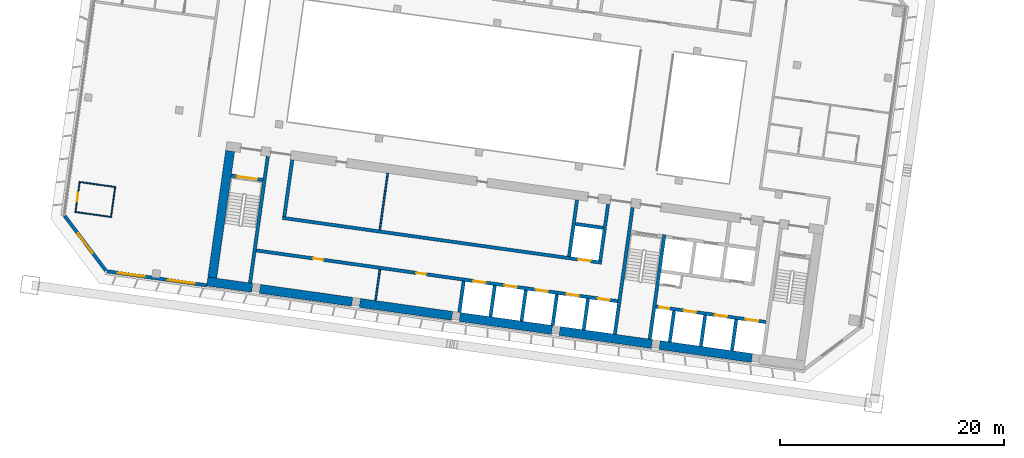
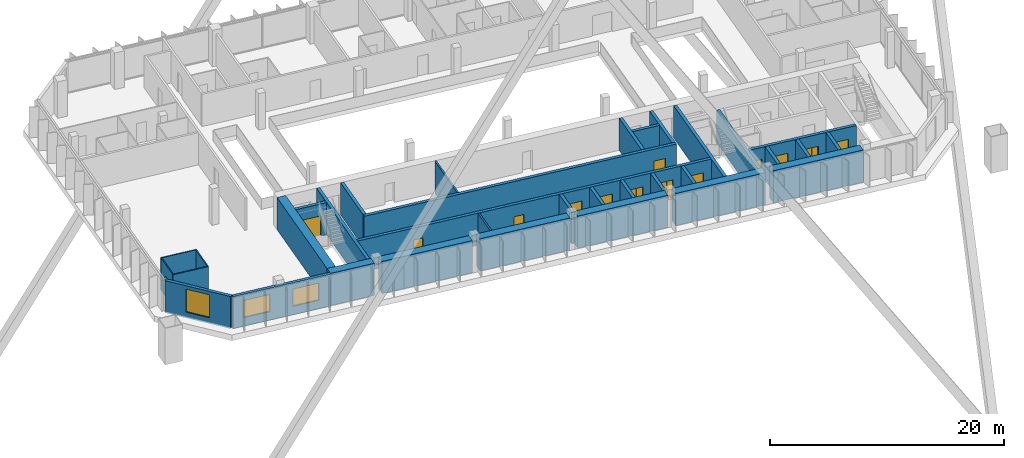
# One storey, part 30 of 41: 34 walls, 14 doors, 3 windows, 17 openings.
"""IFC4 building model written with IfcOpenShell, lengths in metres."""

import ifcopenshell
import ifcopenshell.guid

model = None  # the IFC model being written
_history = None  # IfcOwnerHistory: only IFC2X3 demands one
_inside = {}  # id of a spatial element -> (the spatial element, [elements in it])
_under = {}  # id of a project, library or spatial element -> (it, [spatial elements below it])
_declared = {}  # id of a project -> (the project, [libraries it declares])
_typed = {}  # id of a type object -> (the type object, [elements of that type])
_made_of = {}  # id of a material, layer set ... -> (it, [elements and type objects made of it])


def new_model(schema):
    """Start an empty IFC model of exactly this schema.

    Asked for "IFC4X3", IfcOpenShell would pick the latest addendum, in which some entities
    have other attributes; the version numbers below select the first issue.
    IFC2X3 requires an IfcOwnerHistory on every rooted entity: one is made here for all.
    """
    global model, _history
    if schema == "IFC4X3":
        model = ifcopenshell.file(schema_version=(4, 3, 0, 0))
    else:
        model = ifcopenshell.file(schema=schema)
    _inside.clear()
    _under.clear()
    _declared.clear()
    _typed.clear()
    _made_of.clear()
    _history = None
    if model.schema == "IFC2X3":
        org = make("IfcOrganization", Name="unknown")
        user = make(
            "IfcPersonAndOrganization",
            ThePerson=make("IfcPerson", FamilyName="unknown"),
            TheOrganization=org,
        )
        app = make(
            "IfcApplication",
            ApplicationDeveloper=org,
            Version="unknown",
            ApplicationFullName="unknown",
            ApplicationIdentifier="unknown",
        )
        _history = make(
            "IfcOwnerHistory",
            OwningUser=user,
            OwningApplication=app,
            ChangeAction="ADDED",
            CreationDate=0,
        )
    return model


def make(cls, **values):
    """One entity of the class cls with the attributes given. An attribute that is None is left unset."""
    return model.create_entity(
        cls, **{name: value for name, value in values.items() if value is not None}
    )


def rooted(cls, **values):
    """An entity with a GlobalId (a new one), such as an element, a storey or a relation."""
    return make(cls, GlobalId=ifcopenshell.guid.new(), OwnerHistory=_history, **values)


def si_unit(unit_type, name, prefix=None):
    """IfcSIUnit, for example si_unit("LENGTHUNIT", "METRE", prefix="MILLI")."""
    return make("IfcSIUnit", UnitType=unit_type, Prefix=prefix, Name=name)


def assignment(units):
    """IfcUnitAssignment: the units of a project."""
    return None if units is None else make("IfcUnitAssignment", Units=units)


def point(xyz):
    """IfcCartesianPoint."""
    return None if xyz is None else make("IfcCartesianPoint", Coordinates=xyz)


def direction(xyz):
    """IfcDirection."""
    return None if xyz is None else make("IfcDirection", DirectionRatios=xyz)


def frame(location, z_axis=None, x_axis=None):
    """IfcAxis2Placement3D, a coordinate frame: its origin and axes. An axis left out is left unset."""
    return make(
        "IfcAxis2Placement3D",
        Location=point(location),
        Axis=direction(z_axis),
        RefDirection=direction(x_axis),
    )


def frame_2d(location, x_axis=None):
    """IfcAxis2Placement2D, a coordinate frame in the plane: its origin and x axis."""
    return make(
        "IfcAxis2Placement2D", Location=point(location), RefDirection=direction(x_axis)
    )


def origin():
    """The frame at (0, 0, 0) with its axes left unset."""
    return frame((0.0, 0.0, 0.0))


def place(relative_to, where):
    """IfcLocalPlacement: puts the frame where relative to a parent placement (None: the world)."""
    return make(
        "IfcLocalPlacement", PlacementRelTo=relative_to, RelativePlacement=where
    )


def context(
    kind, dimensions, precision=None, world=None, true_north=None, identifier=None
):
    """IfcGeometricRepresentationContext, for example the 3D "Model" context."""
    return make(
        "IfcGeometricRepresentationContext",
        ContextIdentifier=identifier,
        ContextType=kind,
        CoordinateSpaceDimension=dimensions,
        Precision=precision,
        WorldCoordinateSystem=world,
        TrueNorth=true_north,
    )


def subcontext(parent, identifier, kind, view, scale=None):
    """IfcGeometricRepresentationSubContext, for example "Body" below "Model"."""
    return make(
        "IfcGeometricRepresentationSubContext",
        ContextIdentifier=identifier,
        ContextType=kind,
        ParentContext=parent,
        TargetScale=scale,
        TargetView=view,
    )


def project(units=None, contexts=None):
    """IfcProject with its units and contexts."""
    return rooted(
        "IfcProject",
        Name="project",
        RepresentationContexts=contexts,
        UnitsInContext=assignment(units),
    )


def spatial(cls, under=None, at=None, **own):
    """A site, building, storey or space (cls), placed at a placement, below another one or the project."""
    s = rooted(cls, ObjectPlacement=at, **own)
    if under is not None:
        _under.setdefault(under.id(), (under, []))[1].append(s)
    return s


def profile(cls, at=None, kind="AREA", **sizes):
    """A parametric profile (cls). Its sizes go by their IFC names, for example OverallWidth=200.0."""
    return make(cls, ProfileType=kind, Position=at, **sizes)


def rectangle(**sizes):
    """IfcRectangleProfileDef."""
    return profile("IfcRectangleProfileDef", **sizes)


def extrude(swept, where, along, depth):
    """IfcExtrudedAreaSolid: the profile swept, set in the frame where, extruded along a direction by depth."""
    return make(
        "IfcExtrudedAreaSolid",
        SweptArea=swept,
        Position=where,
        ExtrudedDirection=direction(along),
        Depth=depth,
    )


def shape(context_of_items, identifier, shape_type, items):
    """IfcShapeRepresentation: the items that make up one representation, for example the "Body"."""
    return make(
        "IfcShapeRepresentation",
        ContextOfItems=context_of_items,
        RepresentationIdentifier=identifier,
        RepresentationType=shape_type,
        Items=items,
    )


def material(Name=None, Category=None):
    """IfcMaterial."""
    return make("IfcMaterial", Name=Name, Category=Category)


def layer(
    of_material, thickness, ventilated=None, Name=None, Category=None, Priority=None
):
    """IfcMaterialLayer: one layer of a wall or slab, of a material (None: an air gap)."""
    return make(
        "IfcMaterialLayer",
        Material=of_material,
        LayerThickness=thickness,
        IsVentilated=ventilated,
        Name=Name,
        Category=Category,
        Priority=Priority,
    )


def layer_set(layers, Name=None):
    """IfcMaterialLayerSet."""
    return make("IfcMaterialLayerSet", MaterialLayers=layers, LayerSetName=Name)


def made_of(thing, what):
    """Note that an element or type object is made of a material, layer set ...; save() writes the relation."""
    if what is not None:
        _made_of.setdefault(what.id(), (what, []))[1].append(thing)
    return thing


def type_object(cls, material=None, **own):
    """A type object (cls), such as IfcWallType, which elements share."""
    return made_of(rooted(cls, **own), material)


def element(
    cls,
    number,
    at=None,
    inside=None,
    cuts=None,
    type_object=None,
    material=None,
    context=None,
    identifier="Body",
    shape_type=None,
    held_by="IfcProductDefinitionShape",
    body=None,
    shapes=None,
    **own,
):
    """One element of the class cls, such as IfcWall. Its Tag is "e" and its number.

    at: its placement. inside: the storey or other place that contains it. cuts: it is an
    opening in that element (IfcRelVoidsElement). A single representation is given by context,
    identifier, shape_type and body (its items); several are given by shapes. held_by: the class
    of the entity that holds the representations. save() writes the other relations.
    """
    e = rooted(cls, Tag="e%d" % number, ObjectPlacement=at, **own)
    if body is not None:
        shapes = [shape(context, identifier, shape_type, body)]
    if shapes is not None:
        e.Representation = make(held_by, Representations=shapes)
    if inside is not None:
        _inside.setdefault(inside.id(), (inside, []))[1].append(e)
    if cuts is not None:
        rooted(
            "IfcRelVoidsElement", RelatingBuildingElement=cuts, RelatedOpeningElement=e
        )
    if type_object is not None:
        _typed.setdefault(type_object.id(), (type_object, []))[1].append(e)
    return made_of(e, material)


def fill(opening, filler):
    """IfcRelFillsElement: the door or window that sits in an opening."""
    return rooted(
        "IfcRelFillsElement",
        RelatingOpeningElement=opening,
        RelatedBuildingElement=filler,
    )


def aggregate(whole, parts):
    """IfcRelAggregates: a whole, such as a stair, and the parts it consists of."""
    return rooted("IfcRelAggregates", RelatingObject=whole, RelatedObjects=parts)


def save(model, path):
    """Write the relations noted so far, then the file.

    IfcRelAggregates (storeys below a building ...), IfcRelContainedInSpatialStructure (elements
    in a storey), IfcRelDefinesByType, IfcRelAssociatesMaterial and IfcRelDeclares: one each for
    every whole, place, type object, material and project.
    """
    for whole, parts in _under.values():
        aggregate(whole, parts)
    for where, things in _inside.values():
        rooted(
            "IfcRelContainedInSpatialStructure",
            RelatedElements=things,
            RelatingStructure=where,
        )
    for kind, things in _typed.values():
        rooted("IfcRelDefinesByType", RelatedObjects=things, RelatingType=kind)
    for what, things in _made_of.values():
        rooted("IfcRelAssociatesMaterial", RelatedObjects=things, RelatingMaterial=what)
    for by, libraries in _declared.values():
        rooted("IfcRelDeclares", RelatingContext=by, RelatedDefinitions=libraries)
    model.write(path)


model = new_model("IFC4")

# Units and contexts
model_context = context("Model", 3, precision=1e-05, world=origin(), true_north=direction((0.0, 1.0)))
body_context = subcontext(model_context, "Body", "Model", "MODEL_VIEW")
ifc_project = project(units=[si_unit("LENGTHUNIT", "METRE"), si_unit("AREAUNIT", "SQUARE_METRE"), si_unit("VOLUMEUNIT", "CUBIC_METRE"), si_unit("PLANEANGLEUNIT", "RADIAN"), si_unit("MASSUNIT", "GRAM", prefix="KILO")], contexts=[model_context])

# Site, building, storey
site_placement = place(None, origin())
site = spatial("IfcSite", under=ifc_project, at=site_placement, CompositionType="ELEMENT")
building_placement = place(site_placement, origin())
building = spatial("IfcBuilding", under=site, at=building_placement, Name="Mirante Cascada Hotel Towers", CompositionType="ELEMENT")
storey_placement = place(building_placement, frame((0.0, 0.0, 125.3)))
storey = spatial("IfcBuildingStorey", under=building, at=storey_placement, Name="L28", CompositionType="ELEMENT", Elevation=125.3)

# Walls
ifc_material_1 = material(Name="Masonry block", Category="masonry")
ifc_layer_1 = layer(ifc_material_1, 0.15)
ifc_layer_set_1 = layer_set([ifc_layer_1], Name="Core room partition 150 block EI 30")
wall_type_1 = type_object("IfcWallType", Name="Core room partition 150 block EI 30", PredefinedType="PARTITIONING", material=ifc_layer_set_1)
wall_1_placement = place(storey_placement, frame((-75.3976, -13.8977, 0.0), z_axis=(0.0, 0.0, 1.0), x_axis=(0.139141, 0.9902726, 0.0)))
element("IfcWall", 1, at=wall_1_placement, inside=storey, type_object=wall_type_1, Name="Core wall partition T1 L28 4", PredefinedType="PARTITIONING", context=body_context, shape_type="SweptSolid", body=[
    extrude(rectangle(XDim=2.8, YDim=0.15, at=frame_2d((1.4, 0.0))), origin(), (0.0, 0.0, 1.0), 3.35),
])
wall_2_placement = place(storey_placement, frame((-75.016, -7.5894, 0.0), z_axis=(0.0, 0.0, 1.0), x_axis=(0.1391755, 0.9902677, 0.0)))
element("IfcWall", 2, at=wall_2_placement, inside=storey, type_object=wall_type_1, Name="Core wall partition T1 L28 5", PredefinedType="PARTITIONING", context=body_context, shape_type="SweptSolid", body=[
    extrude(rectangle(XDim=5.1, YDim=0.15, at=frame_2d((2.55, 0.0))), origin(), (0.0, 0.0, 1.0), 3.35),
])
ifc_material_2 = material(Name="Plasterboard on metal studs")
ifc_layer_2 = layer(ifc_material_2, 0.1)
ifc_layer_set_2 = layer_set([ifc_layer_2], Name="Partition 100")
wall_type_2 = type_object("IfcWallType", Name="Partition 100", PredefinedType="PARTITIONING", material=ifc_layer_set_2)
wall_3_placement = place(storey_placement, frame((-98.9401, -6.4487, 0.0), z_axis=(0.0, 0.0, 1.0), x_axis=(-0.9902664, 0.1391852, 0.0)))
element("IfcWall", 3, at=wall_3_placement, inside=storey, type_object=wall_type_2, Name="Wall 1-L28-01", PredefinedType="PARTITIONING", context=body_context, shape_type="SweptSolid", body=[
    extrude(rectangle(XDim=3.2999, YDim=0.1, at=frame_2d((1.65, 0.0))), origin(), (0.0, 0.0, 1.0), 3.35),
])
wall_4_placement = place(storey_placement, frame((-101.8322, -3.3157, 0.0), z_axis=(0.0, 0.0, 1.0), x_axis=(0.990267, -0.139181, 0.0)))
element("IfcWall", 4, at=wall_4_placement, inside=storey, type_object=wall_type_2, Name="Wall 1-L28-02", PredefinedType="PARTITIONING", context=body_context, shape_type="SweptSolid", body=[
    extrude(rectangle(XDim=3.3, YDim=0.1, at=frame_2d((1.65, 0.0))), origin(), (0.0, 0.0, 1.0), 3.35),
])
wall_5_placement = place(storey_placement, frame((-98.9826, -6.3922, 0.0), z_axis=(0.0, 0.0, 1.0), x_axis=(0.1391541, 0.9902707, 0.0)))
element("IfcWall", 5, at=wall_5_placement, inside=storey, type_object=wall_type_2, Name="Wall 1-L28-47", PredefinedType="PARTITIONING", context=body_context, shape_type="SweptSolid", body=[
    extrude(rectangle(XDim=2.6, YDim=0.1, at=frame_2d((1.3, 0.0))), origin(), (0.0, 0.0, 1.0), 3.35),
])

# Wall, opening, door
wall_6_placement = place(storey_placement, frame((-102.1515, -5.9469, 0.0), z_axis=(0.0, 0.0, 1.0), x_axis=(0.1391918, 0.9902654, 0.0)))
wall_6 = element("IfcWall", 6, at=wall_6_placement, inside=storey, type_object=wall_type_2, Name="Wall 1-L28-49", PredefinedType="PARTITIONING", context=body_context, shape_type="SweptSolid", body=[
    extrude(rectangle(XDim=2.6, YDim=0.1, at=frame_2d((1.3, 0.0))), origin(), (0.0, 0.0, 1.0), 3.35),
])
opening_1_placement = place(wall_6_placement, frame((0.9, 0.0, 0.0)))
opening_1 = element("IfcOpeningElement", 7, at=opening_1_placement, cuts=wall_6, Name="Opening D1-L28-29", PredefinedType="OPENING", context=body_context, shape_type="SweptSolid", body=[
    extrude(rectangle(XDim=0.8, YDim=2.1, at=frame_2d((0.4, 1.05))), frame((0.0, 0.05, 0.0), z_axis=(0.0, -1.0, 0.0), x_axis=(1.0, 0.0, 0.0)), (0.0, 0.0, 1.0), 0.1),
])
ifc_material_3 = material(Name="Timber door leaf", Category="wood")
door_type_1 = type_object("IfcDoorType", Name="Bathroom door DG4 800x2100", OperationType="SINGLE_SWING_LEFT", PredefinedType="DOOR", material=ifc_material_3)
door_1_placement = place(opening_1_placement, frame((0.8, 0.0, 0.0), z_axis=(0.0, 0.0, 1.0), x_axis=(-1.0, 0.0, 0.0)))
door_1 = element("IfcDoor", 8, at=door_1_placement, inside=storey, type_object=door_type_1, Name="Door D1-L28-29", OperationType="SINGLE_SWING_RIGHT", OverallHeight=2.1, OverallWidth=0.8, PredefinedType="DOOR", context=body_context, shape_type="SweptSolid", body=[
    extrude(rectangle(XDim=0.8, YDim=2.1, at=frame_2d((0.4, 1.05))), frame((0.0, 0.025, 0.0), z_axis=(0.0, -1.0, 0.0), x_axis=(1.0, 0.0, 0.0)), (0.0, 0.0, 1.0), 0.05),
])
fill(opening_1, door_1)

# Wall, openings, windows
ifc_material_4 = material(Name="Precast concrete C40/50", Category="concrete")
ifc_layer_3 = layer(ifc_material_4, 0.3)
ifc_layer_set_3 = layer_set([ifc_layer_3], Name="Precast concrete C40/50 cladding wall 300")
wall_type_3 = type_object("IfcWallType", Name="Precast concrete C40/50 cladding wall 300", PredefinedType="STANDARD", material=ifc_layer_set_3)
wall_7_placement = place(storey_placement, frame((-90.4551, -12.5388, 0.0), z_axis=(0.0, 0.0, 1.0), x_axis=(-0.9902678, 0.1391749, 0.0)))
wall_7 = element("IfcWall", 9, at=wall_7_placement, inside=storey, type_object=wall_type_3, Name="Rear cladding wall T1 L28 1", PredefinedType="STANDARD", context=body_context, shape_type="SweptSolid", body=[
    extrude(rectangle(XDim=8.9758, YDim=0.3, at=frame_2d((4.4879, 0.0))), origin(), (0.0, 0.0, 1.0), 3.35),
])
opening_2_placement = place(wall_7_placement, frame((1.1012, 0.0, 0.9)))
opening_2 = element("IfcOpeningElement", 10, at=opening_2_placement, cuts=wall_7, Name="Opening W1-28-01", PredefinedType="OPENING", context=body_context, shape_type="SweptSolid", body=[
    extrude(rectangle(XDim=2.4, YDim=1.8, at=frame_2d((1.2, 0.9))), frame((0.0, 0.15, 0.0), z_axis=(0.0, -1.0, 0.0), x_axis=(1.0, 0.0, 0.0)), (0.0, 0.0, 1.0), 0.3),
])
opening_3_placement = place(wall_7_placement, frame((5.5923, 0.0, 0.9)))
opening_3 = element("IfcOpeningElement", 11, at=opening_3_placement, cuts=wall_7, Name="Opening W1-28-02", PredefinedType="OPENING", context=body_context, shape_type="SweptSolid", body=[
    extrude(rectangle(XDim=2.4, YDim=1.8, at=frame_2d((1.2, 0.9))), frame((0.0, 0.15, 0.0), z_axis=(0.0, -1.0, 0.0), x_axis=(1.0, 0.0, 0.0)), (0.0, 0.0, 1.0), 0.3),
])
ifc_material_5 = material(Name="Aluminium frame with clear double glazing", Category="aluminium")
window_type_1 = type_object("IfcWindowType", Name="Punched window 2400x1800", PartitioningType="DOUBLE_PANEL_VERTICAL", PredefinedType="WINDOW", material=ifc_material_5)
window_1_placement = place(opening_2_placement, origin())
window_1 = element("IfcWindow", 12, at=window_1_placement, inside=storey, type_object=window_type_1, Name="Window W1-28-01", OverallHeight=1.8, OverallWidth=2.4, PartitioningType="SINGLE_PANEL", PredefinedType="WINDOW", context=body_context, shape_type="SweptSolid", body=[
    extrude(rectangle(XDim=2.4, YDim=1.8, at=frame_2d((1.2, 0.9))), frame((0.0, 0.03, 0.0), z_axis=(0.0, -1.0, 0.0), x_axis=(1.0, 0.0, 0.0)), (0.0, 0.0, 1.0), 0.06),
])
fill(opening_2, window_1)
window_2_placement = place(opening_3_placement, origin())
window_2 = element("IfcWindow", 13, at=window_2_placement, inside=storey, type_object=window_type_1, Name="Window W1-28-02", OverallHeight=1.8, OverallWidth=2.4, PartitioningType="SINGLE_PANEL", PredefinedType="WINDOW", context=body_context, shape_type="SweptSolid", body=[
    extrude(rectangle(XDim=2.4, YDim=1.8, at=frame_2d((1.2, 0.9))), frame((0.0, 0.03, 0.0), z_axis=(0.0, -1.0, 0.0), x_axis=(1.0, 0.0, 0.0)), (0.0, 0.0, 1.0), 0.06),
])
fill(opening_3, window_2)

# Wall, opening, window
wall_8_placement = place(storey_placement, frame((-99.4424, -11.2313, 0.0), z_axis=(0.0, 0.0, 1.0), x_axis=(-0.6018194, 0.7986322, 0.0)))
wall_8 = element("IfcWall", 14, at=wall_8_placement, inside=storey, type_object=wall_type_3, Name="Corner cladding wall T1 L28 rear outer", PredefinedType="STANDARD", context=body_context, shape_type="SweptSolid", body=[
    extrude(rectangle(XDim=6.1155, YDim=0.3, at=frame_2d((3.0578, 0.0))), origin(), (0.0, 0.0, 1.0), 3.35),
])
opening_4_placement = place(wall_8_placement, frame((1.9576, 0.0, 0.6)))
opening_4 = element("IfcOpeningElement", 15, at=opening_4_placement, cuts=wall_8, Name="Opening W1-28-03", PredefinedType="OPENING", context=body_context, shape_type="SweptSolid", body=[
    extrude(rectangle(XDim=2.2, YDim=2.4, at=frame_2d((1.1, 1.2))), frame((0.0, 0.15, 0.0), z_axis=(0.0, -1.0, 0.0), x_axis=(1.0, 0.0, 0.0)), (0.0, 0.0, 1.0), 0.3),
])
ifc_material_6 = material(Name="Aluminium frame with clear double glazing", Category="aluminium")
window_type_2 = type_object("IfcWindowType", Name="Corner suite window 2200x2400", PartitioningType="DOUBLE_PANEL_VERTICAL", PredefinedType="WINDOW", material=ifc_material_6)
window_3_placement = place(opening_4_placement, origin())
window_3 = element("IfcWindow", 16, at=window_3_placement, inside=storey, type_object=window_type_2, Name="Window W1-28-03", OverallHeight=2.4, OverallWidth=2.2, PartitioningType="SINGLE_PANEL", PredefinedType="WINDOW", context=body_context, shape_type="SweptSolid", body=[
    extrude(rectangle(XDim=2.2, YDim=2.4, at=frame_2d((1.1, 1.2))), frame((0.0, 0.03, 0.0), z_axis=(0.0, -1.0, 0.0), x_axis=(1.0, 0.0, 0.0)), (0.0, 0.0, 1.0), 0.06),
])
fill(opening_4, window_3)

# Walls
ifc_material_7 = material(Name="Concrete C50/60", Category="concrete")
ifc_layer_4 = layer(ifc_material_7, 0.3)
ifc_layer_set_4 = layer_set([ifc_layer_4], Name="RC core wall 300 C50/60")
wall_type_4 = type_object("IfcWallType", Name="RC core wall 300 C50/60", PredefinedType="SHEAR", material=ifc_layer_set_4)
wall_9_placement = place(storey_placement, frame((-50.938, -17.3352, 0.0), z_axis=(0.0, 0.0, 1.0), x_axis=(0.1391706, 0.9902684, 0.0)))
element("IfcWall", 17, at=wall_9_placement, inside=storey, type_object=wall_type_4, Name="Core wall T1:L28:6", PredefinedType="SHEAR", context=body_context, shape_type="SweptSolid", body=[
    extrude(rectangle(XDim=9.4, YDim=0.3, at=frame_2d((4.7, 0.0))), origin(), (0.0, 0.0, 1.0), 3.35),
])
wall_10_placement = place(storey_placement, frame((-54.0574, -16.8968, 0.0), z_axis=(0.0, 0.0, 1.0), x_axis=(0.1391761, 0.9902677, 0.0)))
element("IfcWall", 18, at=wall_10_placement, inside=storey, type_object=wall_type_4, Name="Core wall T1:L28:7", PredefinedType="SHEAR", context=body_context, shape_type="SweptSolid", body=[
    extrude(rectangle(XDim=11.3999, YDim=0.3, at=frame_2d((5.7, 0.0))), origin(), (0.0, 0.0, 1.0), 3.35),
])
wall_11_placement = place(storey_placement, frame((-86.5877, -12.325, 0.0), z_axis=(0.0, 0.0, 1.0), x_axis=(0.1391749, 0.9902678, 0.0)))
element("IfcWall", 19, at=wall_11_placement, inside=storey, type_object=wall_type_4, Name="Core wall T1:L28:8", PredefinedType="SHEAR", context=body_context, shape_type="SweptSolid", body=[
    extrude(rectangle(XDim=11.4, YDim=0.3, at=frame_2d((5.7, 0.0))), origin(), (0.0, 0.0, 1.0), 3.35),
])

# Wall, opening, door
wall_12_placement = place(storey_placement, frame((-85.4489, -3.1441, 0.0), z_axis=(0.0, 0.0, 1.0), x_axis=(-0.9902697, 0.1391613, 0.0)))
wall_12 = element("IfcWall", 20, at=wall_12_placement, inside=storey, type_object=wall_type_4, Name="Core wall T1:L28:11", PredefinedType="SHEAR", context=body_context, shape_type="SweptSolid", body=[
    extrude(rectangle(XDim=2.8499, YDim=0.3, at=frame_2d((1.425, 0.0))), origin(), (0.0, 0.0, 1.0), 3.35),
])
opening_5_placement = place(wall_12_placement, frame((0.525, 0.0, 0.0)))
opening_5 = element("IfcOpeningElement", 21, at=opening_5_placement, cuts=wall_12, Name="Opening D1-28-C17", PredefinedType="OPENING", context=body_context, shape_type="SweptSolid", body=[
    extrude(rectangle(XDim=1.8, YDim=2.1, at=frame_2d((0.9, 1.05))), frame((0.0, 0.15, 0.0), z_axis=(0.0, -1.0, 0.0), x_axis=(1.0, 0.0, 0.0)), (0.0, 0.0, 1.0), 0.3),
])
ifc_material_8 = material(Name="Hollow metal fire door leaf")
door_type_2 = type_object("IfcDoorType", Name="Double fire door 1800x2100 FD60", OperationType="DOUBLE_DOOR_SINGLE_SWING", PredefinedType="DOOR", material=ifc_material_8)
door_2_placement = place(opening_5_placement, origin())
door_2 = element("IfcDoor", 22, at=door_2_placement, inside=storey, type_object=door_type_2, Name="Stair door T1 L28 17", OperationType="DOUBLE_DOOR_SINGLE_SWING", OverallHeight=2.1, OverallWidth=1.8, PredefinedType="DOOR", context=body_context, shape_type="SweptSolid", body=[
    extrude(rectangle(XDim=0.895, YDim=2.1, at=frame_2d((0.4475, 1.05))), frame((0.0, 0.025, 0.0), z_axis=(0.0, -1.0, 0.0), x_axis=(1.0, 0.0, 0.0)), (0.0, 0.0, 1.0), 0.05),
    extrude(rectangle(XDim=0.895, YDim=2.1, at=frame_2d((1.3525, 1.05))), frame((0.0, 0.025, 0.0), z_axis=(0.0, -1.0, 0.0), x_axis=(1.0, 0.0, 0.0)), (0.0, 0.0, 1.0), 0.05),
])
fill(opening_5, door_2)

# Wall, openings, doors
wall_13_placement = place(storey_placement, frame((-40.5753, -15.8126, 0.0), z_axis=(0.0, 0.0, 1.0), x_axis=(-0.9902682, 0.1391725, 0.0)))
wall_13 = element("IfcWall", 23, at=wall_13_placement, inside=storey, type_object=wall_type_4, Name="Core wall T1:L28:12", PredefinedType="SHEAR", context=body_context, shape_type="SweptSolid", body=[
    extrude(rectangle(XDim=9.8999, YDim=0.3, at=frame_2d((4.95, 0.0))), origin(), (0.0, 0.0, 1.0), 3.35),
])
opening_6_placement = place(wall_13_placement, frame((0.7, 0.0, 0.0)))
opening_6 = element("IfcOpeningElement", 24, at=opening_6_placement, cuts=wall_13, Name="Opening LD", PredefinedType="OPENING", context=body_context, shape_type="SweptSolid", body=[
    extrude(rectangle(XDim=1.1, YDim=2.1, at=frame_2d((0.55, 1.05))), frame((0.0, 0.15, 0.0), z_axis=(0.0, -1.0, 0.0), x_axis=(1.0, 0.0, 0.0)), (0.0, 0.0, 1.0), 0.3),
])
opening_7_placement = place(wall_13_placement, frame((3.5, 0.0, 0.0)))
opening_7 = element("IfcOpeningElement", 25, at=opening_7_placement, cuts=wall_13, Name="Opening LD", PredefinedType="OPENING", context=body_context, shape_type="SweptSolid", body=[
    extrude(rectangle(XDim=1.1, YDim=2.1, at=frame_2d((0.55, 1.05))), frame((0.0, 0.15, 0.0), z_axis=(0.0, -1.0, 0.0), x_axis=(1.0, 0.0, 0.0)), (0.0, 0.0, 1.0), 0.3),
])
opening_8_placement = place(wall_13_placement, frame((6.3, 0.0, 0.0)))
opening_8 = element("IfcOpeningElement", 26, at=opening_8_placement, cuts=wall_13, Name="Opening LD", PredefinedType="OPENING", context=body_context, shape_type="SweptSolid", body=[
    extrude(rectangle(XDim=1.1, YDim=2.1, at=frame_2d((0.55, 1.05))), frame((0.0, 0.15, 0.0), z_axis=(0.0, -1.0, 0.0), x_axis=(1.0, 0.0, 0.0)), (0.0, 0.0, 1.0), 0.3),
])
opening_9_placement = place(wall_13_placement, frame((8.7, 0.0, 0.0)))
opening_9 = element("IfcOpeningElement", 27, at=opening_9_placement, cuts=wall_13, Name="Opening D1-28-C22", PredefinedType="OPENING", context=body_context, shape_type="SweptSolid", body=[
    extrude(rectangle(XDim=0.9, YDim=2.1, at=frame_2d((0.45, 1.05))), frame((0.0, 0.15, 0.0), z_axis=(0.0, -1.0, 0.0), x_axis=(1.0, 0.0, 0.0)), (0.0, 0.0, 1.0), 0.3),
])
ifc_material_9 = material(Name="Hollow metal fire door leaf")
door_type_3 = type_object("IfcDoorType", Name="Fire door 900x2100 FD60", OperationType="NOTDEFINED", PredefinedType="DOOR", material=ifc_material_9)
door_3_placement = place(opening_9_placement, origin())
door_3 = element("IfcDoor", 28, at=door_3_placement, inside=storey, type_object=door_type_3, Name="Riser door T1 L28 22", OperationType="SINGLE_SWING_LEFT", OverallHeight=2.1, OverallWidth=0.9, PredefinedType="DOOR", context=body_context, shape_type="SweptSolid", body=[
    extrude(rectangle(XDim=0.9, YDim=2.1, at=frame_2d((0.45, 1.05))), frame((0.0, 0.025, 0.0), z_axis=(0.0, -1.0, 0.0), x_axis=(1.0, 0.0, 0.0)), (0.0, 0.0, 1.0), 0.05),
])
fill(opening_9, door_3)
ifc_material_10 = material(Name="Stainless steel", Category="steel")
door_type_4 = type_object("IfcDoorType", Name="Lift landing door 1100x2100 EI 120", OperationType="DOUBLE_DOOR_SLIDING", PredefinedType="DOOR", material=ifc_material_10)
door_4_placement = place(opening_6_placement, origin())
door_4 = element("IfcDoor", 29, at=door_4_placement, inside=storey, type_object=door_type_4, Name="Lift landing door HR1-1 L28", OperationType="DOUBLE_DOOR_SLIDING", OverallHeight=2.1, OverallWidth=1.1, PredefinedType="DOOR", context=body_context, shape_type="SweptSolid", body=[
    extrude(rectangle(XDim=0.545, YDim=2.1, at=frame_2d((0.2725, 1.05))), frame((0.0, 0.025, 0.0), z_axis=(0.0, -1.0, 0.0), x_axis=(1.0, 0.0, 0.0)), (0.0, 0.0, 1.0), 0.05),
    extrude(rectangle(XDim=0.545, YDim=2.1, at=frame_2d((0.8275, 1.05))), frame((0.0, 0.025, 0.0), z_axis=(0.0, -1.0, 0.0), x_axis=(1.0, 0.0, 0.0)), (0.0, 0.0, 1.0), 0.05),
])
fill(opening_6, door_4)
door_5_placement = place(opening_7_placement, origin())
door_5 = element("IfcDoor", 30, at=door_5_placement, inside=storey, type_object=door_type_4, Name="Lift landing door HR1-2 L28", OperationType="DOUBLE_DOOR_SLIDING", OverallHeight=2.1, OverallWidth=1.1, PredefinedType="DOOR", context=body_context, shape_type="SweptSolid", body=[
    extrude(rectangle(XDim=0.545, YDim=2.1, at=frame_2d((0.2725, 1.05))), frame((0.0, 0.025, 0.0), z_axis=(0.0, -1.0, 0.0), x_axis=(1.0, 0.0, 0.0)), (0.0, 0.0, 1.0), 0.05),
    extrude(rectangle(XDim=0.545, YDim=2.1, at=frame_2d((0.8275, 1.05))), frame((0.0, 0.025, 0.0), z_axis=(0.0, -1.0, 0.0), x_axis=(1.0, 0.0, 0.0)), (0.0, 0.0, 1.0), 0.05),
])
fill(opening_7, door_5)
door_6_placement = place(opening_8_placement, origin())
door_6 = element("IfcDoor", 31, at=door_6_placement, inside=storey, type_object=door_type_4, Name="Lift landing door HR1-3 L28", OperationType="DOUBLE_DOOR_SLIDING", OverallHeight=2.1, OverallWidth=1.1, PredefinedType="DOOR", context=body_context, shape_type="SweptSolid", body=[
    extrude(rectangle(XDim=0.545, YDim=2.1, at=frame_2d((0.2725, 1.05))), frame((0.0, 0.025, 0.0), z_axis=(0.0, -1.0, 0.0), x_axis=(1.0, 0.0, 0.0)), (0.0, 0.0, 1.0), 0.05),
    extrude(rectangle(XDim=0.545, YDim=2.1, at=frame_2d((0.8275, 1.05))), frame((0.0, 0.025, 0.0), z_axis=(0.0, -1.0, 0.0), x_axis=(1.0, 0.0, 0.0)), (0.0, 0.0, 1.0), 0.05),
])
fill(opening_8, door_6)

# Walls
wall_14_placement = place(storey_placement, frame((-43.61, -18.3651, 0.0), z_axis=(0.0, 0.0, 1.0), x_axis=(0.1391459, 0.9902719, 0.0)))
element("IfcWall", 32, at=wall_14_placement, inside=storey, type_object=wall_type_4, Name="Core wall T1:L28:15", PredefinedType="SHEAR", context=body_context, shape_type="SweptSolid", body=[
    extrude(rectangle(XDim=2.7999, YDim=0.3, at=frame_2d((1.4, 0.0))), origin(), (0.0, 0.0, 1.0), 3.35),
])
wall_15_placement = place(storey_placement, frame((-46.3828, -17.9754, 0.0), z_axis=(0.0, 0.0, 1.0), x_axis=(0.139181, 0.990267, 0.0)))
element("IfcWall", 33, at=wall_15_placement, inside=storey, type_object=wall_type_4, Name="Core wall T1:L28:16", PredefinedType="SHEAR", context=body_context, shape_type="SweptSolid", body=[
    extrude(rectangle(XDim=2.8, YDim=0.3, at=frame_2d((1.4, 0.0))), origin(), (0.0, 0.0, 1.0), 3.35),
])
wall_16_placement = place(storey_placement, frame((-49.1555, -17.5857, 0.0), z_axis=(0.0, 0.0, 1.0), x_axis=(0.1391459, 0.9902719, 0.0)))
element("IfcWall", 34, at=wall_16_placement, inside=storey, type_object=wall_type_4, Name="Core wall T1:L28:17", PredefinedType="SHEAR", context=body_context, shape_type="SweptSolid", body=[
    extrude(rectangle(XDim=2.7999, YDim=0.3, at=frame_2d((1.4, 0.0))), origin(), (0.0, 0.0, 1.0), 3.35),
])

# Wall, openings, doors
wall_17_placement = place(storey_placement, frame((-53.7953, -13.9547, 0.0), z_axis=(0.0, 0.0, 1.0), x_axis=(-0.990268, 0.1391733, 0.0)))
wall_17 = element("IfcWall", 35, at=wall_17_placement, inside=storey, type_object=wall_type_4, Name="Core wall T1:L28:24", PredefinedType="SHEAR", context=body_context, shape_type="SweptSolid", body=[
    extrude(rectangle(XDim=32.5501, YDim=0.3, at=frame_2d((16.275, 0.0))), origin(), (0.0, 0.0, 1.0), 3.35),
])
opening_10_placement = place(wall_17_placement, frame((0.7, 0.0, 0.0)))
opening_10 = element("IfcOpeningElement", 36, at=opening_10_placement, cuts=wall_17, Name="Opening LD", PredefinedType="OPENING", context=body_context, shape_type="SweptSolid", body=[
    extrude(rectangle(XDim=1.1, YDim=2.1, at=frame_2d((0.55, 1.05))), frame((0.0, 0.15, 0.0), z_axis=(0.0, -1.0, 0.0), x_axis=(1.0, 0.0, 0.0)), (0.0, 0.0, 1.0), 0.3),
])
opening_11_placement = place(wall_17_placement, frame((3.5, 0.0, 0.0)))
opening_11 = element("IfcOpeningElement", 37, at=opening_11_placement, cuts=wall_17, Name="Opening LD", PredefinedType="OPENING", context=body_context, shape_type="SweptSolid", body=[
    extrude(rectangle(XDim=1.1, YDim=2.1, at=frame_2d((0.55, 1.05))), frame((0.0, 0.15, 0.0), z_axis=(0.0, -1.0, 0.0), x_axis=(1.0, 0.0, 0.0)), (0.0, 0.0, 1.0), 0.3),
])
opening_12_placement = place(wall_17_placement, frame((6.3, 0.0, 0.0)))
opening_12 = element("IfcOpeningElement", 38, at=opening_12_placement, cuts=wall_17, Name="Opening LD", PredefinedType="OPENING", context=body_context, shape_type="SweptSolid", body=[
    extrude(rectangle(XDim=1.1, YDim=2.1, at=frame_2d((0.55, 1.05))), frame((0.0, 0.15, 0.0), z_axis=(0.0, -1.0, 0.0), x_axis=(1.0, 0.0, 0.0)), (0.0, 0.0, 1.0), 0.3),
])
opening_13_placement = place(wall_17_placement, frame((9.1, 0.0, 0.0)))
opening_13 = element("IfcOpeningElement", 39, at=opening_13_placement, cuts=wall_17, Name="Opening LD", PredefinedType="OPENING", context=body_context, shape_type="SweptSolid", body=[
    extrude(rectangle(XDim=1.1, YDim=2.1, at=frame_2d((0.55, 1.05))), frame((0.0, 0.15, 0.0), z_axis=(0.0, -1.0, 0.0), x_axis=(1.0, 0.0, 0.0)), (0.0, 0.0, 1.0), 0.3),
])
opening_14_placement = place(wall_17_placement, frame((11.9, 0.0, 0.0)))
opening_14 = element("IfcOpeningElement", 40, at=opening_14_placement, cuts=wall_17, Name="Opening LD", PredefinedType="OPENING", context=body_context, shape_type="SweptSolid", body=[
    extrude(rectangle(XDim=1.1, YDim=2.1, at=frame_2d((0.55, 1.05))), frame((0.0, 0.15, 0.0), z_axis=(0.0, -1.0, 0.0), x_axis=(1.0, 0.0, 0.0)), (0.0, 0.0, 1.0), 0.3),
])
opening_15_placement = place(wall_17_placement, frame((17.25, 0.0, 0.0)))
opening_15 = element("IfcOpeningElement", 41, at=opening_15_placement, cuts=wall_17, Name="Opening D1-28-C25", PredefinedType="OPENING", context=body_context, shape_type="SweptSolid", body=[
    extrude(rectangle(XDim=0.9, YDim=2.1, at=frame_2d((0.45, 1.05))), frame((0.0, 0.15, 0.0), z_axis=(0.0, -1.0, 0.0), x_axis=(1.0, 0.0, 0.0)), (0.0, 0.0, 1.0), 0.3),
])
opening_16_placement = place(wall_17_placement, frame((26.525, 0.0, 0.0)))
opening_16 = element("IfcOpeningElement", 42, at=opening_16_placement, cuts=wall_17, Name="Opening D1-28-C26", PredefinedType="OPENING", context=body_context, shape_type="SweptSolid", body=[
    extrude(rectangle(XDim=0.9, YDim=2.1, at=frame_2d((0.45, 1.05))), frame((0.0, 0.15, 0.0), z_axis=(0.0, -1.0, 0.0), x_axis=(1.0, 0.0, 0.0)), (0.0, 0.0, 1.0), 0.3),
])
door_7_placement = place(opening_15_placement, origin())
door_7 = element("IfcDoor", 43, at=door_7_placement, inside=storey, type_object=door_type_3, Name="Room door T1 L28 25", OperationType="SINGLE_SWING_LEFT", OverallHeight=2.1, OverallWidth=0.9, PredefinedType="DOOR", context=body_context, shape_type="SweptSolid", body=[
    extrude(rectangle(XDim=0.9, YDim=2.1, at=frame_2d((0.45, 1.05))), frame((0.0, 0.025, 0.0), z_axis=(0.0, -1.0, 0.0), x_axis=(1.0, 0.0, 0.0)), (0.0, 0.0, 1.0), 0.05),
])
fill(opening_15, door_7)
door_8_placement = place(opening_16_placement, origin())
door_8 = element("IfcDoor", 44, at=door_8_placement, inside=storey, type_object=door_type_3, Name="Room door T1 L28 26", OperationType="SINGLE_SWING_LEFT", OverallHeight=2.1, OverallWidth=0.9, PredefinedType="DOOR", context=body_context, shape_type="SweptSolid", body=[
    extrude(rectangle(XDim=0.9, YDim=2.1, at=frame_2d((0.45, 1.05))), frame((0.0, 0.025, 0.0), z_axis=(0.0, -1.0, 0.0), x_axis=(1.0, 0.0, 0.0)), (0.0, 0.0, 1.0), 0.05),
])
fill(opening_16, door_8)
door_9_placement = place(opening_10_placement, origin())
door_9 = element("IfcDoor", 45, at=door_9_placement, inside=storey, type_object=door_type_4, Name="Lift landing door LR1-1 L28", OperationType="DOUBLE_DOOR_SLIDING", OverallHeight=2.1, OverallWidth=1.1, PredefinedType="DOOR", context=body_context, shape_type="SweptSolid", body=[
    extrude(rectangle(XDim=0.545, YDim=2.1, at=frame_2d((0.2725, 1.05))), frame((0.0, 0.025, 0.0), z_axis=(0.0, -1.0, 0.0), x_axis=(1.0, 0.0, 0.0)), (0.0, 0.0, 1.0), 0.05),
    extrude(rectangle(XDim=0.545, YDim=2.1, at=frame_2d((0.8275, 1.05))), frame((0.0, 0.025, 0.0), z_axis=(0.0, -1.0, 0.0), x_axis=(1.0, 0.0, 0.0)), (0.0, 0.0, 1.0), 0.05),
])
fill(opening_10, door_9)
door_10_placement = place(opening_11_placement, origin())
door_10 = element("IfcDoor", 46, at=door_10_placement, inside=storey, type_object=door_type_4, Name="Lift landing door LR1-2 L28", OperationType="DOUBLE_DOOR_SLIDING", OverallHeight=2.1, OverallWidth=1.1, PredefinedType="DOOR", context=body_context, shape_type="SweptSolid", body=[
    extrude(rectangle(XDim=0.545, YDim=2.1, at=frame_2d((0.2725, 1.05))), frame((0.0, 0.025, 0.0), z_axis=(0.0, -1.0, 0.0), x_axis=(1.0, 0.0, 0.0)), (0.0, 0.0, 1.0), 0.05),
    extrude(rectangle(XDim=0.545, YDim=2.1, at=frame_2d((0.8275, 1.05))), frame((0.0, 0.025, 0.0), z_axis=(0.0, -1.0, 0.0), x_axis=(1.0, 0.0, 0.0)), (0.0, 0.0, 1.0), 0.05),
])
fill(opening_11, door_10)
door_11_placement = place(opening_12_placement, origin())
door_11 = element("IfcDoor", 47, at=door_11_placement, inside=storey, type_object=door_type_4, Name="Lift landing door SV1-1 L28", OperationType="DOUBLE_DOOR_SLIDING", OverallHeight=2.1, OverallWidth=1.1, PredefinedType="DOOR", context=body_context, shape_type="SweptSolid", body=[
    extrude(rectangle(XDim=0.545, YDim=2.1, at=frame_2d((0.2725, 1.05))), frame((0.0, 0.025, 0.0), z_axis=(0.0, -1.0, 0.0), x_axis=(1.0, 0.0, 0.0)), (0.0, 0.0, 1.0), 0.05),
    extrude(rectangle(XDim=0.545, YDim=2.1, at=frame_2d((0.8275, 1.05))), frame((0.0, 0.025, 0.0), z_axis=(0.0, -1.0, 0.0), x_axis=(1.0, 0.0, 0.0)), (0.0, 0.0, 1.0), 0.05),
])
fill(opening_12, door_11)
door_12_placement = place(opening_13_placement, origin())
door_12 = element("IfcDoor", 48, at=door_12_placement, inside=storey, type_object=door_type_4, Name="Lift landing door SV1-2 L28", OperationType="DOUBLE_DOOR_SLIDING", OverallHeight=2.1, OverallWidth=1.1, PredefinedType="DOOR", context=body_context, shape_type="SweptSolid", body=[
    extrude(rectangle(XDim=0.545, YDim=2.1, at=frame_2d((0.2725, 1.05))), frame((0.0, 0.025, 0.0), z_axis=(0.0, -1.0, 0.0), x_axis=(1.0, 0.0, 0.0)), (0.0, 0.0, 1.0), 0.05),
    extrude(rectangle(XDim=0.545, YDim=2.1, at=frame_2d((0.8275, 1.05))), frame((0.0, 0.025, 0.0), z_axis=(0.0, -1.0, 0.0), x_axis=(1.0, 0.0, 0.0)), (0.0, 0.0, 1.0), 0.05),
])
fill(opening_13, door_12)
door_13_placement = place(opening_14_placement, origin())
door_13 = element("IfcDoor", 49, at=door_13_placement, inside=storey, type_object=door_type_4, Name="Lift landing door SV1-3 L28", OperationType="DOUBLE_DOOR_SLIDING", OverallHeight=2.1, OverallWidth=1.1, PredefinedType="DOOR", context=body_context, shape_type="SweptSolid", body=[
    extrude(rectangle(XDim=0.545, YDim=2.1, at=frame_2d((0.2725, 1.05))), frame((0.0, 0.025, 0.0), z_axis=(0.0, -1.0, 0.0), x_axis=(1.0, 0.0, 0.0)), (0.0, 0.0, 1.0), 0.05),
    extrude(rectangle(XDim=0.545, YDim=2.1, at=frame_2d((0.8275, 1.05))), frame((0.0, 0.025, 0.0), z_axis=(0.0, -1.0, 0.0), x_axis=(1.0, 0.0, 0.0)), (0.0, 0.0, 1.0), 0.05),
])
fill(opening_14, door_13)

# Walls
for number, where, z_axis, x_axis, name in (
    (50, (-56.8301, -16.5072, 0.0), (0.0, 0.0, 1.0), (0.139176, 0.9902677, 0.0), "Core wall T1:L28:25"),
    (51, (-59.6029, -16.1175, 0.0), (0.0, 0.0, 1.0), (0.139176, 0.9902677, 0.0), "Core wall T1:L28:26"),
    (52, (-62.3756, -15.7278, 0.0), (0.0, 0.0, 1.0), (0.139176, 0.9902677, 0.0), "Core wall T1:L28:27"),
    (53, (-65.1484, -15.3381, 0.0), (0.0, 0.0, 1.0), (0.139176, 0.9902677, 0.0), "Core wall T1:L28:28"),
):
    element("IfcWall", number, at=place(storey_placement, frame(where, z_axis=z_axis, x_axis=x_axis)), inside=storey, type_object=wall_type_4, Name=name, PredefinedType="SHEAR", context=body_context, shape_type="SweptSolid", body=[
        extrude(rectangle(XDim=2.8001, YDim=0.3, at=frame_2d((1.4, 0.0))), origin(), (0.0, 0.0, 1.0), 3.35),
    ])
wall_18_placement = place(storey_placement, frame((-67.9211, -14.9484, 0.0), z_axis=(0.0, 0.0, 1.0), x_axis=(0.139181, 0.990267, 0.0)))
element("IfcWall", 54, at=wall_18_placement, inside=storey, type_object=wall_type_4, Name="Core wall T1:L28:29", PredefinedType="SHEAR", context=body_context, shape_type="SweptSolid", body=[
    extrude(rectangle(XDim=2.8, YDim=0.3, at=frame_2d((1.4, 0.0))), origin(), (0.0, 0.0, 1.0), 3.35),
])

# Wall, opening, door
wall_19_placement = place(storey_placement, frame((-55.2315, -10.5214, 0.0), z_axis=(0.0, 0.0, 1.0), x_axis=(-0.9902682, 0.1391722, 0.0)))
wall_19 = element("IfcWall", 55, at=wall_19_placement, inside=storey, type_object=wall_type_4, Name="Core wall T1:L28:31", PredefinedType="SHEAR", context=body_context, shape_type="SweptSolid", body=[
    extrude(rectangle(XDim=28.75, YDim=0.3, at=frame_2d((14.375, 0.0))), origin(), (0.0, 0.0, 1.0), 3.35),
])
opening_17_placement = place(wall_19_placement, frame((1.0, 0.0, 0.0)))
opening_17 = element("IfcOpeningElement", 56, at=opening_17_placement, cuts=wall_19, Name="Opening LD", PredefinedType="OPENING", context=body_context, shape_type="SweptSolid", body=[
    extrude(rectangle(XDim=1.1, YDim=2.1, at=frame_2d((0.55, 1.05))), frame((0.0, 0.15, 0.0), z_axis=(0.0, -1.0, 0.0), x_axis=(1.0, 0.0, 0.0)), (0.0, 0.0, 1.0), 0.3),
])
door_14_placement = place(opening_17_placement, origin())
door_14 = element("IfcDoor", 57, at=door_14_placement, inside=storey, type_object=door_type_4, Name="Lift landing door LR1-3 L28", OperationType="DOUBLE_DOOR_SLIDING", OverallHeight=2.1, OverallWidth=1.1, PredefinedType="DOOR", context=body_context, shape_type="SweptSolid", body=[
    extrude(rectangle(XDim=0.545, YDim=2.1, at=frame_2d((0.2725, 1.05))), frame((0.0, 0.025, 0.0), z_axis=(0.0, -1.0, 0.0), x_axis=(1.0, 0.0, 0.0)), (0.0, 0.0, 1.0), 0.05),
    extrude(rectangle(XDim=0.545, YDim=2.1, at=frame_2d((0.8275, 1.05))), frame((0.0, 0.025, 0.0), z_axis=(0.0, -1.0, 0.0), x_axis=(1.0, 0.0, 0.0)), (0.0, 0.0, 1.0), 0.05),
])
fill(opening_17, door_14)

# Walls
for number, where, z_axis, x_axis, name in (
    (58, (-55.3592, -10.352, 0.0), (0.0, 0.0, 1.0), (0.1391755, 0.9902677, 0.0), "Core wall T1:L28:32"),
    (59, (-83.5323, -6.3925, 0.0), (0.0, 0.0, 1.0), (0.1391755, 0.9902677, 0.0), "Core wall T1:L28:33"),
    (60, (-58.1319, -9.9623, 0.0), (0.0, 0.0, 1.0), (0.1391755, 0.9902677, 0.0), "Core wall T1:L28:34"),
):
    element("IfcWall", number, at=place(storey_placement, frame(where, z_axis=z_axis, x_axis=x_axis)), inside=storey, type_object=wall_type_4, Name=name, PredefinedType="SHEAR", context=body_context, shape_type="SweptSolid", body=[
        extrude(rectangle(XDim=5.1, YDim=0.3, at=frame_2d((2.55, 0.0))), origin(), (0.0, 0.0, 1.0), 3.35),
    ])
wall_20_placement = place(storey_placement, frame((-55.0971, -7.4098, 0.0), z_axis=(0.0, 0.0, 1.0), x_axis=(-0.9902701, 0.1391586, 0.0)))
element("IfcWall", 61, at=wall_20_placement, inside=storey, type_object=wall_type_4, Name="Core wall T1:L28:35", PredefinedType="SHEAR", context=body_context, shape_type="SweptSolid", body=[
    extrude(rectangle(XDim=2.5, YDim=0.3, at=frame_2d((1.25, 0.0))), origin(), (0.0, 0.0, 1.0), 3.35),
])
ifc_material_11 = material(Name="Concrete C50/60", Category="concrete")
ifc_layer_5 = layer(ifc_material_11, 0.8)
ifc_layer_set_5 = layer_set([ifc_layer_5], Name="RC core wall 800 C50/60")
wall_type_5 = type_object("IfcWallType", Name="RC core wall 800 C50/60", PredefinedType="SHEAR", material=ifc_layer_set_5)
for number, where, z_axis, x_axis, name in (
    (62, (-41.8337, -19.0187, 0.0), (0.0, 0.0, 1.0), (-0.9902686, 0.1391692, 0.0), "Core wall T1:L28:1.2"),
    (63, (-50.7461, -17.7661, 0.0), (0.0, 0.0, 1.0), (-0.9902686, 0.1391692, 0.0), "Core wall T1:L28:1.3"),
):
    element("IfcWall", number, at=place(storey_placement, frame(where, z_axis=z_axis, x_axis=x_axis)), inside=storey, type_object=wall_type_5, Name=name, PredefinedType="SHEAR", context=body_context, shape_type="SweptSolid", body=[
        extrude(rectangle(XDim=8.3, YDim=0.8, at=frame_2d((4.15, 0.0))), origin(), (0.0, 0.0, 1.0), 3.35),
    ])
for number, where, z_axis, x_axis, name in (
    (64, (-59.6585, -16.5136, 0.0), (0.0, 0.0, 1.0), (-0.9902672, 0.1391793, 0.0), "Core wall T1:L28:1.4"),
    (65, (-68.5709, -15.261, 0.0), (0.0, 0.0, 1.0), (-0.9902689, 0.1391675, 0.0), "Core wall T1:L28:1.5"),
):
    element("IfcWall", number, at=place(storey_placement, frame(where, z_axis=z_axis, x_axis=x_axis)), inside=storey, type_object=wall_type_5, Name=name, PredefinedType="SHEAR", context=body_context, shape_type="SweptSolid", body=[
        extrude(rectangle(XDim=8.3001, YDim=0.8, at=frame_2d((4.15, 0.0))), origin(), (0.0, 0.0, 1.0), 3.35),
    ])
wall_21_placement = place(storey_placement, frame((-77.4834, -14.0085, 0.0), z_axis=(0.0, 0.0, 1.0), x_axis=(-0.990267, 0.139181, 0.0)))
element("IfcWall", 66, at=wall_21_placement, inside=storey, type_object=wall_type_5, Name="Core wall T1:L28:1.6", PredefinedType="SHEAR", context=body_context, shape_type="SweptSolid", body=[
    extrude(rectangle(XDim=8.3, YDim=0.8, at=frame_2d((4.15, 0.0))), origin(), (0.0, 0.0, 1.0), 3.35),
])
wall_22_placement = place(storey_placement, frame((-86.3958, -12.7559, 0.0), z_axis=(0.0, 0.0, 1.0), x_axis=(-0.9902665, 0.1391845, 0.0)))
element("IfcWall", 67, at=wall_22_placement, inside=storey, type_object=wall_type_5, Name="Core wall T1:L28:1.7", PredefinedType="SHEAR", context=body_context, shape_type="SweptSolid", body=[
    extrude(rectangle(XDim=4.05, YDim=0.8, at=frame_2d((2.025, 0.0))), origin(), (0.0, 0.0, 1.0), 3.35),
])
wall_23_placement = place(storey_placement, frame((-89.9546, -11.8518, 0.0), z_axis=(0.0, 0.0, 1.0), x_axis=(0.1391761, 0.9902677, 0.0)))
element("IfcWall", 68, at=wall_23_placement, inside=storey, type_object=wall_type_5, Name="Core wall T1:L28:4", PredefinedType="SHEAR", context=body_context, shape_type="SweptSolid", body=[
    extrude(rectangle(XDim=11.3999, YDim=0.8, at=frame_2d((5.7, 0.0))), origin(), (0.0, 0.0, 1.0), 3.35),
])

save(model, "model.ifc")
